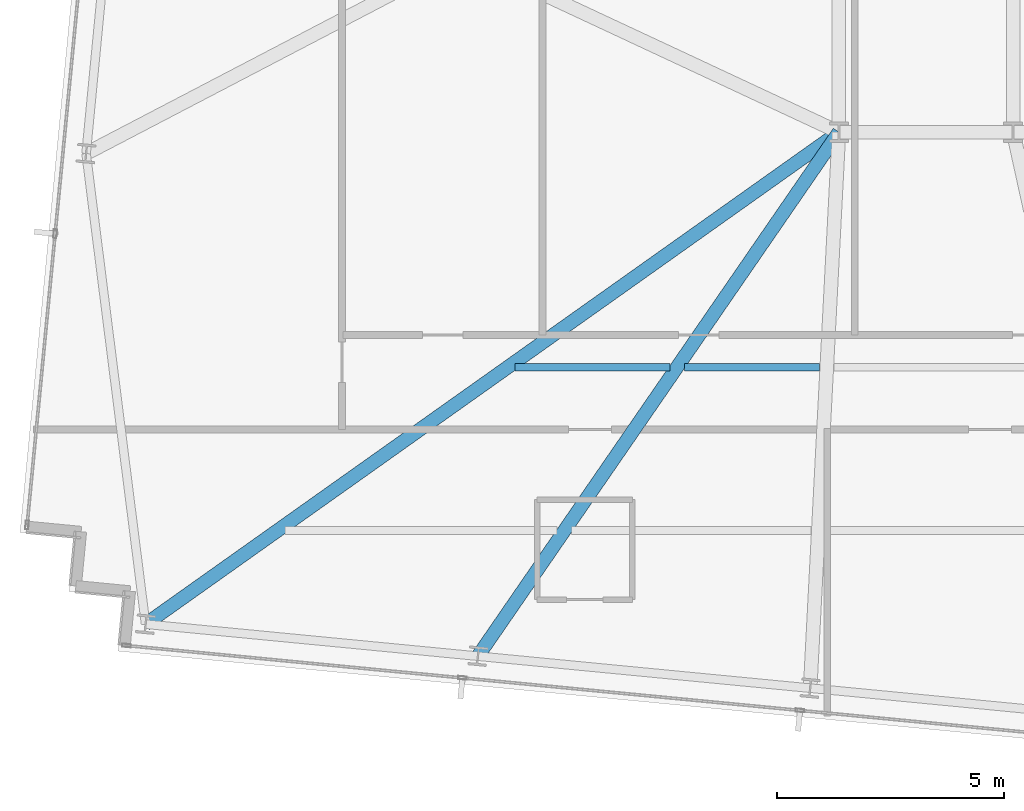
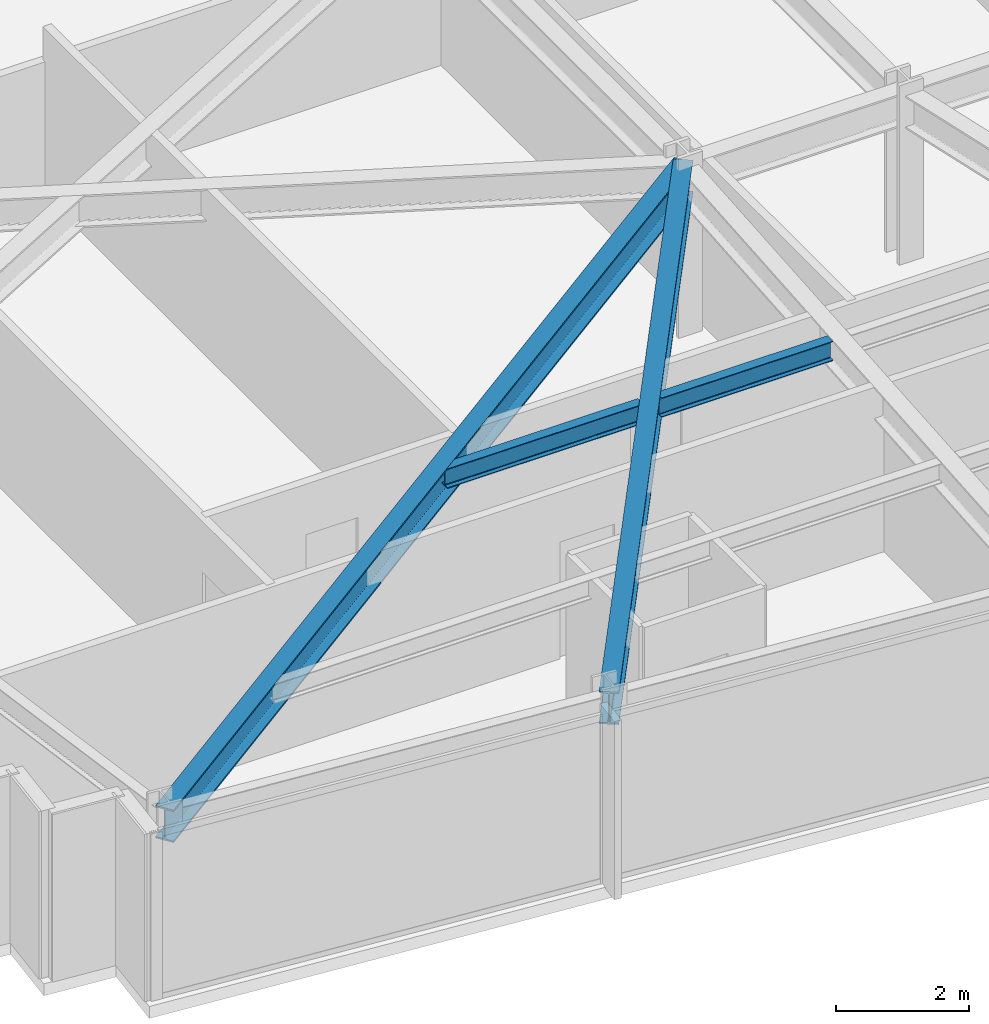
# One storey, part 5 of 36: 4 beams.
"""IFC4 building model written with IfcOpenShell, lengths in metres."""

from ifc_helpers import new_model, si_unit, direction, frame, origin, origin_2d, place, context, subcontext, project, spatial, i_section, extrude, material, material_profile, profile_set, type_object, element, save


model = new_model("IFC4")

# Units and contexts
model_context = context("Model", 3, precision=1e-05, world=origin(), true_north=direction((0.0, 1.0)))
body_context = subcontext(model_context, "Body", "Model", "MODEL_VIEW")
ifc_project = project(units=[si_unit("LENGTHUNIT", "METRE"), si_unit("AREAUNIT", "SQUARE_METRE"), si_unit("VOLUMEUNIT", "CUBIC_METRE"), si_unit("PLANEANGLEUNIT", "RADIAN"), si_unit("MASSUNIT", "GRAM", prefix="KILO")], contexts=[model_context])

# Site, building, storey
site_placement = place(None, origin())
site = spatial("IfcSite", under=ifc_project, at=site_placement, CompositionType="ELEMENT")
building_placement = place(site_placement, origin())
building = spatial("IfcBuilding", under=site, at=building_placement, Name="Yelkora Congress Tower", CompositionType="ELEMENT")
storey_placement = place(building_placement, frame((0.0, 0.0, 152.300048828125)))
storey = spatial("IfcBuildingStorey", under=building, at=storey_placement, Name="L41", CompositionType="ELEMENT", Elevation=152.300048828125)

# Beams
ifc_material = material(Name="Steel S355J2", Category="steel")
ifc_material_profile_1 = material_profile(ifc_material, i_section(OverallWidth=0.300048828125, OverallDepth=0.60009765625, WebThickness=0.015380859375, FlangeThickness=0.030029296875, FilletRadius=0.027099609375, at=origin_2d()), Name="HEB 600")
ifc_profile_set_1 = profile_set([ifc_material_profile_1], Name="Steel S355J2")
beam_type_1 = type_object("IfcBeamType", Name="BM-GIRD-HEB600", PredefinedType="BEAM", material=ifc_profile_set_1)
beam_1_placement = place(storey_placement, frame((3.919189453125, 14.357421875, 2.780029296875), z_axis=(0.815554555366, 0.578680194254, 0.0), x_axis=(-0.578680194254, 0.815554555366, 0.0)))
element("IfcBeam", 1, at=beam_1_placement, inside=storey, type_object=beam_type_1, Name="L41 Primary Frame Girder S01", PredefinedType="BEAM", context=body_context, shape_type="SweptSolid", body=[
    extrude(i_section(OverallWidth=0.300048828125, OverallDepth=0.60009765625, WebThickness=0.015380859375, FlangeThickness=0.030029296875, FilletRadius=0.027099609375, at=origin_2d()), origin(), (0.0, 0.0, 1.0), 18.736572265625),
])
beam_2_placement = place(storey_placement, frame((11.242431640625, 13.652099609375, 2.780029296875), z_axis=(0.567418043278, 0.823429878109, 0.0), x_axis=(-0.823429878109, 0.567418043278, 0.0)))
element("IfcBeam", 2, at=beam_2_placement, inside=storey, type_object=beam_type_1, Name="L41 Primary Frame Girder S02", PredefinedType="BEAM", context=body_context, shape_type="SweptSolid", body=[
    extrude(i_section(OverallWidth=0.300048828125, OverallDepth=0.60009765625, WebThickness=0.015380859375, FlangeThickness=0.030029296875, FilletRadius=0.027099609375, at=origin_2d()), origin(), (0.0, 0.0, 1.0), 14.024169921875),
])
ifc_material_profile_2 = material_profile(ifc_material, i_section(OverallWidth=0.169921875, OverallDepth=0.360107421875, WebThickness=0.008056640625, FlangeThickness=0.0126953125, FilletRadius=0.01806640625, at=origin_2d()), Name="IPE 360")
ifc_profile_set_2 = profile_set([ifc_material_profile_2], Name="Steel S355J2")
beam_type_2 = type_object("IfcBeamType", Name="BM-JOIST-IPE360", PredefinedType="JOIST", material=ifc_profile_set_2)
beam_3_placement = place(storey_placement, frame((12.061279296875, 20.021240234375, 2.89990234375), z_axis=(1.0, 0.0, 0.0), x_axis=(0.0, 1.0, 0.0)))
element("IfcBeam", 3, at=beam_3_placement, inside=storey, type_object=beam_type_2, Name="L41 Composite Floor Joist 12", PredefinedType="JOIST", context=body_context, shape_type="SweptSolid", body=[
    extrude(i_section(OverallWidth=0.169921875, OverallDepth=0.360107421875, WebThickness=0.008056640625, FlangeThickness=0.0126953125, FilletRadius=0.01806640625, at=origin_2d()), origin(), (0.0, 0.0, 1.0), 3.409912109375),
])
beam_4_placement = place(storey_placement, frame((15.791259765625, 20.021240234375, 2.89990234375), z_axis=(1.0, 0.0, 0.0), x_axis=(0.0, 1.0, 0.0)))
element("IfcBeam", 4, at=beam_4_placement, inside=storey, type_object=beam_type_2, Name="L41 Composite Floor Joist 13", PredefinedType="JOIST", context=body_context, shape_type="SweptSolid", body=[
    extrude(i_section(OverallWidth=0.169921875, OverallDepth=0.360107421875, WebThickness=0.008056640625, FlangeThickness=0.0126953125, FilletRadius=0.01806640625, at=origin_2d()), origin(), (0.0, 0.0, 1.0), 2.980712890625),
])

save(model, "model.ifc")
